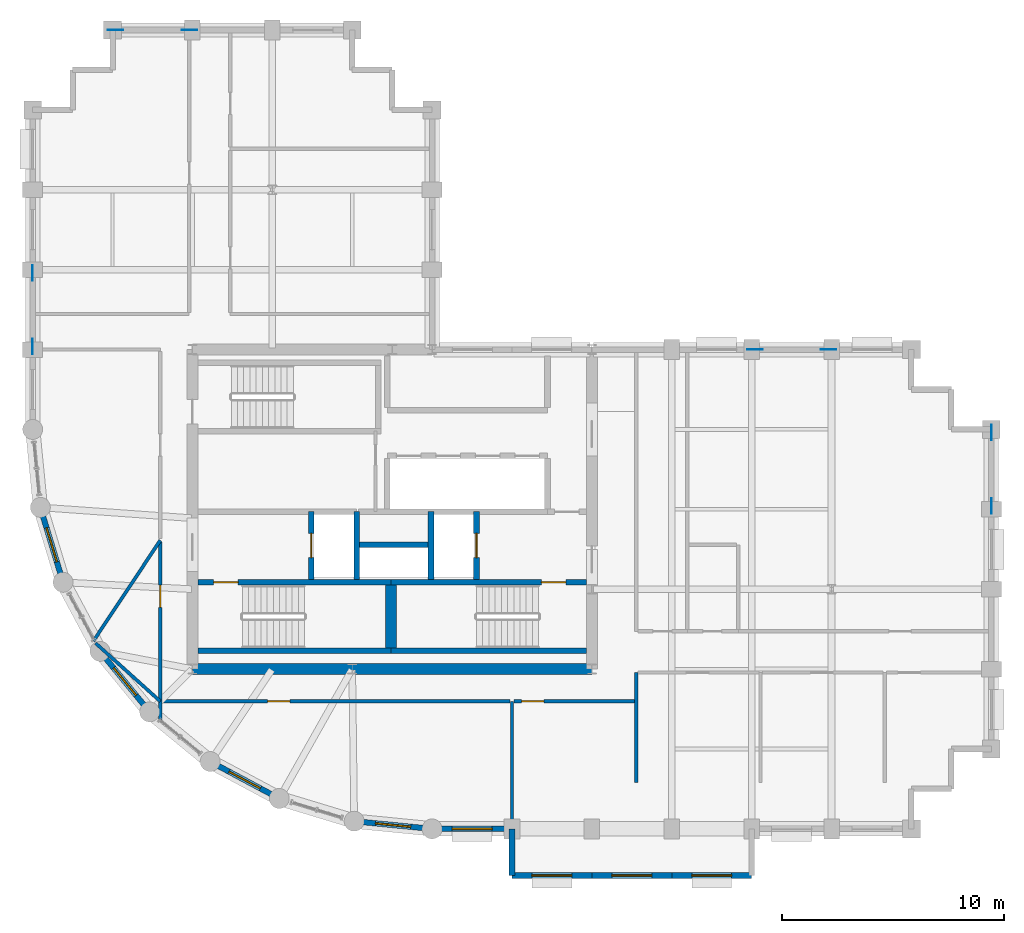
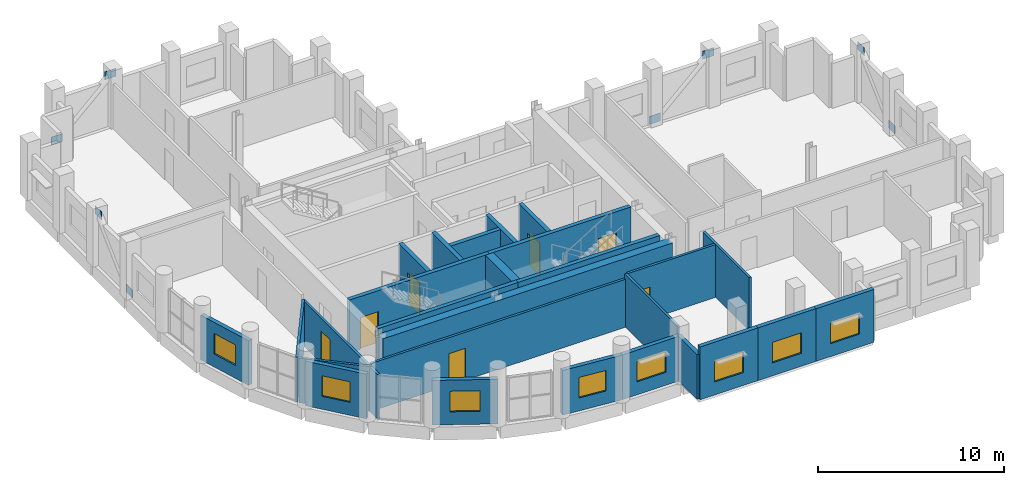
# One storey, part 6 of 11: 27 walls, 8 plates, 8 windows, 7 doors, 15 openings.
"""IFC4 building model written with IfcOpenShell, lengths in metres."""

from ifc_helpers import new_model, si_unit, direction, frame, frame_2d, origin, origin_2d, place, context, subcontext, project, spatial, rectangle, extrude, material, layer, layer_set, type_object, element, fill, save


model = new_model("IFC4")

# Units and contexts
model_context = context("Model", 3, precision=1e-05, world=origin(), true_north=direction((0.0, 1.0)))
body_context = subcontext(model_context, "Body", "Model", "MODEL_VIEW")
ifc_project = project(units=[si_unit("LENGTHUNIT", "METRE"), si_unit("AREAUNIT", "SQUARE_METRE"), si_unit("VOLUMEUNIT", "CUBIC_METRE"), si_unit("PLANEANGLEUNIT", "RADIAN"), si_unit("MASSUNIT", "GRAM", prefix="KILO")], contexts=[model_context])

# Site, building, storey
site_placement = place(None, origin())
site = spatial("IfcSite", under=ifc_project, at=site_placement, CompositionType="ELEMENT")
building_placement = place(site_placement, origin())
building = spatial("IfcBuilding", under=site, at=building_placement, Name="Solnavia Interchange Tower", CompositionType="ELEMENT")
storey_placement = place(building_placement, frame((0.0, 0.0, 205.199951171875)))
storey = spatial("IfcBuildingStorey", under=building, at=storey_placement, Name="L51", CompositionType="ELEMENT", Elevation=205.199951171875)

# Plates
ifc_material_1 = material(Name="Steel S460", Category="steel")
ifc_layer_1 = layer(ifc_material_1, 0.030029296875)
ifc_layer_set_1 = layer_set([ifc_layer_1], Name="Steel S460")
plate_type = type_object("IfcPlateType", Name="Plate-Gusset-700x520x30", PredefinedType="USERDEFINED", material=ifc_layer_set_1)
for number, where, z_axis, x_axis, name in (
    (1, (7.199951171875, 25.340087890625, -0.080078125), (0.0, 0.0, 1.0), (0.0, 1.0, 0.0), "PLT-L51-GP01 Perimeter brace gusset plate"),
    (2, (7.199951171875, 28.659912109375, 3.0400390625), (0.0, 0.0, 1.0), (0.0, 1.0, 0.0), "PLT-L51-GP02 Perimeter brace gusset plate"),
    (3, (50.39990234375, 18.139892578125, -0.080078125), (0.0, 0.0, 1.0), (0.0, 1.0, 0.0), "PLT-L51-GP03 Perimeter brace gusset plate"),
    (4, (50.39990234375, 21.4599609375, 3.0400390625), (0.0, 0.0, 1.0), (0.0, 1.0, 0.0), "PLT-L51-GP04 Perimeter brace gusset plate"),
    (5, (10.93994140625, 39.60009765625, -0.080078125), (0.0, 0.0, 1.0), (1.0, 0.0, 0.0), "PLT-L51-GP05 Perimeter brace gusset plate"),
    (6, (14.260009765625, 39.60009765625, 3.0400390625), (0.0, 0.0, 1.0), (1.0, 0.0, 0.0), "PLT-L51-GP06 Perimeter brace gusset plate"),
    (7, (39.739990234375, 25.199951171875, -0.080078125), (0.0, 0.0, 1.0), (1.0, 0.0, 0.0), "PLT-L51-GP07 Perimeter brace gusset plate"),
    (8, (43.06005859375, 25.199951171875, 3.0400390625), (0.0, 0.0, 1.0), (1.0, 0.0, 0.0), "PLT-L51-GP08 Perimeter brace gusset plate"),
):
    element("IfcPlate", number, at=place(storey_placement, frame(where, z_axis=z_axis, x_axis=x_axis)), inside=storey, type_object=plate_type, Name=name, ObjectType="GUSSET PLATE", PredefinedType="USERDEFINED", context=body_context, shape_type="SweptSolid", body=[
        extrude(rectangle(XDim=0.699951171875, YDim=0.030029296875, at=origin_2d()), origin(), (0.0, 0.0, 1.0), 0.52001953125),
    ])

# Wall, opening, window
ifc_material_2 = material(Name="Concrete C40/50", Category="concrete")
ifc_layer_2 = layer(ifc_material_2, 0.25)
ifc_layer_set_2 = layer_set([ifc_layer_2], Name="Concrete C40/50")
wall_type_1 = type_object("IfcWallType", Name="Wall-ExtSpandrel-250", PredefinedType="STANDARD", material=ifc_layer_set_2)
wall_1_placement = place(storey_placement, frame((28.800048828125, 3.60009765625, 0.0), z_axis=(0.0, 0.0, 1.0), x_axis=(-1.0, 0.0, 0.0)))
wall_1 = element("IfcWall", 9, at=wall_1_placement, inside=storey, type_object=wall_type_1, Name="EXW-L51-01 Exterior precast spandrel wall", PredefinedType="STANDARD", context=body_context, shape_type="SweptSolid", body=[
    extrude(rectangle(XDim=3.60009765625, YDim=0.25, at=frame_2d((1.800048828125, 0.0))), origin(), (0.0, 0.0, 1.0), 2.929931640625),
])
opening_1_placement = place(wall_1_placement, frame((0.89990234375, 0.0, 0.85009765625)))
opening_1 = element("IfcOpeningElement", 10, at=opening_1_placement, cuts=wall_1, Name="Opening WIN-02", PredefinedType="OPENING", context=body_context, shape_type="SweptSolid", body=[
    extrude(rectangle(XDim=1.800048828125, YDim=1.35009765625, at=frame_2d((0.89990234375, 0.675048828125))), frame((0.0, 0.135009765625, 0.0), z_axis=(0.0, -1.0, 0.0), x_axis=(1.0, 0.0, 0.0)), (0.0, 0.0, 1.0), 0.27001953125),
])
ifc_material_3 = material(Name="Thermal-Break Aluminium & Low-E Glass", Category="aluminium")
window_type_1 = type_object("IfcWindowType", Name="Window-Ribbon-1800x1350", PartitioningType="SINGLE_PANEL", PredefinedType="WINDOW", material=ifc_material_3)
window_1_placement = place(opening_1_placement, origin())
window_1 = element("IfcWindow", 11, at=window_1_placement, inside=storey, type_object=window_type_1, Name="WIN-L51-01 Facade ribbon window", OverallHeight=1.35009765625, OverallWidth=1.800048828125, PartitioningType="SINGLE_PANEL", PredefinedType="WINDOW", context=body_context, shape_type="SweptSolid", body=[
    extrude(rectangle(XDim=1.800048828125, YDim=1.35009765625, at=frame_2d((0.89990234375, 0.675048828125))), frame((0.0, 0.030029296875, 0.0), z_axis=(0.0, -1.0, 0.0), x_axis=(1.0, 0.0, 0.0)), (0.0, 0.0, 1.0), 0.06005859375),
])
fill(opening_1, window_1)

# Wall
wall_2_placement = place(storey_placement, frame((28.800048828125, 3.60009765625, 0.0), z_axis=(0.0, 0.0, 1.0), x_axis=(0.0, -1.0, 0.0)))
element("IfcWall", 12, at=wall_2_placement, inside=storey, type_object=wall_type_1, Name="EXW-L51-02 Exterior precast spandrel wall", PredefinedType="STANDARD", context=body_context, shape_type="SweptSolid", body=[
    extrude(rectangle(XDim=2.10009765625, YDim=0.25, at=frame_2d((1.050048828125, 0.0))), origin(), (0.0, 0.0, 1.0), 2.929931640625),
])

# Wall, opening, window
wall_3_placement = place(storey_placement, frame((32.39990234375, 1.5, 0.0), z_axis=(0.0, 0.0, 1.0), x_axis=(-1.0, 0.0, 0.0)))
wall_3 = element("IfcWall", 13, at=wall_3_placement, inside=storey, type_object=wall_type_1, Name="EXW-L51-03 Exterior precast spandrel wall", PredefinedType="STANDARD", context=body_context, shape_type="SweptSolid", body=[
    extrude(rectangle(XDim=3.599853515625, YDim=0.25, at=frame_2d((1.7998046875, 0.0))), origin(), (0.0, 0.0, 1.0), 3.465087890625),
])
opening_2_placement = place(wall_3_placement, frame((0.89990234375, 0.0, 0.85009765625)))
opening_2 = element("IfcOpeningElement", 14, at=opening_2_placement, cuts=wall_3, Name="Opening WIN-02", PredefinedType="OPENING", context=body_context, shape_type="SweptSolid", body=[
    extrude(rectangle(XDim=1.800048828125, YDim=1.35009765625, at=frame_2d((0.89990234375, 0.675048828125))), frame((0.0, 0.135009765625, 0.0), z_axis=(0.0, -1.0, 0.0), x_axis=(1.0, 0.0, 0.0)), (0.0, 0.0, 1.0), 0.27001953125),
])
window_2_placement = place(opening_2_placement, origin())
window_2 = element("IfcWindow", 15, at=window_2_placement, inside=storey, type_object=window_type_1, Name="WIN-L51-03 Facade ribbon window", OverallHeight=1.35009765625, OverallWidth=1.800048828125, PartitioningType="SINGLE_PANEL", PredefinedType="WINDOW", context=body_context, shape_type="SweptSolid", body=[
    extrude(rectangle(XDim=1.800048828125, YDim=1.35009765625, at=frame_2d((0.89990234375, 0.675048828125))), frame((0.0, 0.030029296875, 0.0), z_axis=(0.0, -1.0, 0.0), x_axis=(1.0, 0.0, 0.0)), (0.0, 0.0, 1.0), 0.06005859375),
])
fill(opening_2, window_2)

wall_4_placement = place(storey_placement, frame((36.0, 1.5, 0.0), z_axis=(0.0, 0.0, 1.0), x_axis=(-1.0, 0.0, 0.0)))
wall_4 = element("IfcWall", 16, at=wall_4_placement, inside=storey, type_object=wall_type_1, Name="EXW-L51-04 Exterior precast spandrel wall", PredefinedType="STANDARD", context=body_context, shape_type="SweptSolid", body=[
    extrude(rectangle(XDim=3.60009765625, YDim=0.25, at=frame_2d((1.800048828125, 0.0))), origin(), (0.0, 0.0, 1.0), 3.465087890625),
])
opening_3_placement = place(wall_4_placement, frame((0.89990234375, 0.0, 0.85009765625)))
opening_3 = element("IfcOpeningElement", 17, at=opening_3_placement, cuts=wall_4, Name="Opening WIN-02", PredefinedType="OPENING", context=body_context, shape_type="SweptSolid", body=[
    extrude(rectangle(XDim=1.800048828125, YDim=1.35009765625, at=frame_2d((0.89990234375, 0.675048828125))), frame((0.0, 0.135009765625, 0.0), z_axis=(0.0, -1.0, 0.0), x_axis=(1.0, 0.0, 0.0)), (0.0, 0.0, 1.0), 0.27001953125),
])
window_3_placement = place(opening_3_placement, origin())
window_3 = element("IfcWindow", 18, at=window_3_placement, inside=storey, type_object=window_type_1, Name="WIN-L51-04 Facade ribbon window", OverallHeight=1.35009765625, OverallWidth=1.800048828125, PartitioningType="SINGLE_PANEL", PredefinedType="WINDOW", context=body_context, shape_type="SweptSolid", body=[
    extrude(rectangle(XDim=1.800048828125, YDim=1.35009765625, at=frame_2d((0.89990234375, 0.675048828125))), frame((0.0, 0.030029296875, 0.0), z_axis=(0.0, -1.0, 0.0), x_axis=(1.0, 0.0, 0.0)), (0.0, 0.0, 1.0), 0.06005859375),
])
fill(opening_3, window_3)

wall_5_placement = place(storey_placement, frame((39.60009765625, 1.5, 0.0), z_axis=(0.0, 0.0, 1.0), x_axis=(-1.0, 0.0, 0.0)))
wall_5 = element("IfcWall", 19, at=wall_5_placement, inside=storey, type_object=wall_type_1, Name="EXW-L51-05 Exterior precast spandrel wall", PredefinedType="STANDARD", context=body_context, shape_type="SweptSolid", body=[
    extrude(rectangle(XDim=3.60009765625, YDim=0.25, at=frame_2d((1.800048828125, 0.0))), origin(), (0.0, 0.0, 1.0), 3.465087890625),
])
opening_4_placement = place(wall_5_placement, frame((0.89990234375, 0.0, 0.85009765625)))
opening_4 = element("IfcOpeningElement", 20, at=opening_4_placement, cuts=wall_5, Name="Opening WIN-02", PredefinedType="OPENING", context=body_context, shape_type="SweptSolid", body=[
    extrude(rectangle(XDim=1.800048828125, YDim=1.35009765625, at=frame_2d((0.89990234375, 0.675048828125))), frame((0.0, 0.135009765625, 0.0), z_axis=(0.0, -1.0, 0.0), x_axis=(1.0, 0.0, 0.0)), (0.0, 0.0, 1.0), 0.27001953125),
])
window_4_placement = place(opening_4_placement, origin())
window_4 = element("IfcWindow", 21, at=window_4_placement, inside=storey, type_object=window_type_1, Name="WIN-L51-05 Facade ribbon window", OverallHeight=1.35009765625, OverallWidth=1.800048828125, PartitioningType="SINGLE_PANEL", PredefinedType="WINDOW", context=body_context, shape_type="SweptSolid", body=[
    extrude(rectangle(XDim=1.800048828125, YDim=1.35009765625, at=frame_2d((0.89990234375, 0.675048828125))), frame((0.0, 0.030029296875, 0.0), z_axis=(0.0, -1.0, 0.0), x_axis=(1.0, 0.0, 0.0)), (0.0, 0.0, 1.0), 0.06005859375),
])
fill(opening_4, window_4)

wall_6_placement = place(storey_placement, frame((8.570068359375, 14.7119140625, 0.0), z_axis=(0.0, 0.0, 1.0), x_axis=(-0.290305086481, 0.956934144423, 0.0)))
wall_6 = element("IfcWall", 22, at=wall_6_placement, inside=storey, type_object=wall_type_1, Name="EXW-L51-46 Exterior precast spandrel wall", PredefinedType="STANDARD", context=body_context, shape_type="SweptSolid", body=[
    extrude(rectangle(XDim=3.52783203125, YDim=0.25, at=frame_2d((1.763916015625, 0.0))), origin(), (0.0, 0.0, 1.0), 2.929931640625),
])
opening_5_placement = place(wall_6_placement, frame((0.964111328125, 0.0, 0.85009765625)))
opening_5 = element("IfcOpeningElement", 23, at=opening_5_placement, cuts=wall_6, Name="Opening WIN-04", PredefinedType="OPENING", context=body_context, shape_type="SweptSolid", body=[
    extrude(rectangle(XDim=1.60009765625, YDim=1.35009765625, at=frame_2d((0.800048828125, 0.675048828125))), frame((0.0, 0.135009765625, 0.0), z_axis=(0.0, -1.0, 0.0), x_axis=(1.0, 0.0, 0.0)), (0.0, 0.0, 1.0), 0.27001953125),
])
window_type_2 = type_object("IfcWindowType", Name="Window-Drum-1600x1350", PartitioningType="SINGLE_PANEL", PredefinedType="WINDOW", material=ifc_material_3)
window_5_placement = place(opening_5_placement, origin())
window_5 = element("IfcWindow", 24, at=window_5_placement, inside=storey, type_object=window_type_2, Name="WIN-L51-46 Facade ribbon window", OverallHeight=1.35009765625, OverallWidth=1.60009765625, PartitioningType="SINGLE_PANEL", PredefinedType="WINDOW", context=body_context, shape_type="SweptSolid", body=[
    extrude(rectangle(XDim=1.60009765625, YDim=1.35009765625, at=frame_2d((0.800048828125, 0.675048828125))), frame((0.0, 0.030029296875, 0.0), z_axis=(0.0, -1.0, 0.0), x_axis=(1.0, 0.0, 0.0)), (0.0, 0.0, 1.0), 0.06005859375),
])
fill(opening_5, window_5)

wall_7_placement = place(storey_placement, frame((12.471923828125, 8.8720703125, 0.0), z_axis=(0.0, 0.0, 1.0), x_axis=(-0.634258295121, 0.773121216285, 0.0)))
wall_7 = element("IfcWall", 25, at=wall_7_placement, inside=storey, type_object=wall_type_1, Name="EXW-L51-48 Exterior precast spandrel wall", PredefinedType="STANDARD", context=body_context, shape_type="SweptSolid", body=[
    extrude(rectangle(XDim=3.528564453125, YDim=0.25, at=frame_2d((1.76416015625, 0.0))), origin(), (0.0, 0.0, 1.0), 2.929931640625),
])
opening_6_placement = place(wall_7_placement, frame((0.964111328125, 0.0, 0.85009765625)))
opening_6 = element("IfcOpeningElement", 26, at=opening_6_placement, cuts=wall_7, Name="Opening WIN-04", PredefinedType="OPENING", context=body_context, shape_type="SweptSolid", body=[
    extrude(rectangle(XDim=1.60009765625, YDim=1.35009765625, at=frame_2d((0.800048828125, 0.675048828125))), frame((0.0, 0.135009765625, 0.0), z_axis=(0.0, -1.0, 0.0), x_axis=(1.0, 0.0, 0.0)), (0.0, 0.0, 1.0), 0.27001953125),
])
window_6_placement = place(opening_6_placement, origin())
window_6 = element("IfcWindow", 27, at=window_6_placement, inside=storey, type_object=window_type_2, Name="WIN-L51-48 Facade ribbon window", OverallHeight=1.35009765625, OverallWidth=1.60009765625, PartitioningType="SINGLE_PANEL", PredefinedType="WINDOW", context=body_context, shape_type="SweptSolid", body=[
    extrude(rectangle(XDim=1.60009765625, YDim=1.35009765625, at=frame_2d((0.800048828125, 0.675048828125))), frame((0.0, 0.030029296875, 0.0), z_axis=(0.0, -1.0, 0.0), x_axis=(1.0, 0.0, 0.0)), (0.0, 0.0, 1.0), 0.06005859375),
])
fill(opening_6, window_6)

wall_8_placement = place(storey_placement, frame((18.31201171875, 4.969970703125, 0.0), z_axis=(0.0, 0.0, 1.0), x_axis=(-0.881846862014, 0.471535907389, 0.0)))
wall_8 = element("IfcWall", 28, at=wall_8_placement, inside=storey, type_object=wall_type_1, Name="EXW-L51-50 Exterior precast spandrel wall", PredefinedType="STANDARD", context=body_context, shape_type="SweptSolid", body=[
    extrude(rectangle(XDim=3.529052734375, YDim=0.25, at=frame_2d((1.7646484375, 0.0))), origin(), (0.0, 0.0, 1.0), 2.929931640625),
])
opening_7_placement = place(wall_8_placement, frame((0.964111328125, 0.0, 0.85009765625)))
opening_7 = element("IfcOpeningElement", 29, at=opening_7_placement, cuts=wall_8, Name="Opening WIN-04", PredefinedType="OPENING", context=body_context, shape_type="SweptSolid", body=[
    extrude(rectangle(XDim=1.60009765625, YDim=1.35009765625, at=frame_2d((0.800048828125, 0.675048828125))), frame((0.0, 0.135009765625, 0.0), z_axis=(0.0, -1.0, 0.0), x_axis=(1.0, 0.0, 0.0)), (0.0, 0.0, 1.0), 0.27001953125),
])
window_7_placement = place(opening_7_placement, origin())
window_7 = element("IfcWindow", 30, at=window_7_placement, inside=storey, type_object=window_type_2, Name="WIN-L51-50 Facade ribbon window", OverallHeight=1.35009765625, OverallWidth=1.60009765625, PartitioningType="SINGLE_PANEL", PredefinedType="WINDOW", context=body_context, shape_type="SweptSolid", body=[
    extrude(rectangle(XDim=1.60009765625, YDim=1.35009765625, at=frame_2d((0.800048828125, 0.675048828125))), frame((0.0, 0.030029296875, 0.0), z_axis=(0.0, -1.0, 0.0), x_axis=(1.0, 0.0, 0.0)), (0.0, 0.0, 1.0), 0.06005859375),
])
fill(opening_7, window_7)

wall_9_placement = place(storey_placement, frame((25.199951171875, 3.60009765625, 0.0), z_axis=(0.0, 0.0, 1.0), x_axis=(-0.995183369056, 0.098030923459, 0.0)))
wall_9 = element("IfcWall", 31, at=wall_9_placement, inside=storey, type_object=wall_type_1, Name="EXW-L51-52 Exterior precast spandrel wall", PredefinedType="STANDARD", context=body_context, shape_type="SweptSolid", body=[
    extrude(rectangle(XDim=3.529052734375, YDim=0.25, at=frame_2d((1.7646484375, 0.0))), origin(), (0.0, 0.0, 1.0), 2.929931640625),
])
opening_8_placement = place(wall_9_placement, frame((0.965087890625, 0.0, 0.85009765625)))
opening_8 = element("IfcOpeningElement", 32, at=opening_8_placement, cuts=wall_9, Name="Opening WIN-04", PredefinedType="OPENING", context=body_context, shape_type="SweptSolid", body=[
    extrude(rectangle(XDim=1.60009765625, YDim=1.35009765625, at=frame_2d((0.800048828125, 0.675048828125))), frame((0.0, 0.135009765625, 0.0), z_axis=(0.0, -1.0, 0.0), x_axis=(1.0, 0.0, 0.0)), (0.0, 0.0, 1.0), 0.27001953125),
])
window_8_placement = place(opening_8_placement, origin())
window_8 = element("IfcWindow", 33, at=window_8_placement, inside=storey, type_object=window_type_2, Name="WIN-L51-52 Facade ribbon window", OverallHeight=1.35009765625, OverallWidth=1.60009765625, PartitioningType="SINGLE_PANEL", PredefinedType="WINDOW", context=body_context, shape_type="SweptSolid", body=[
    extrude(rectangle(XDim=1.60009765625, YDim=1.35009765625, at=frame_2d((0.800048828125, 0.675048828125))), frame((0.0, 0.030029296875, 0.0), z_axis=(0.0, -1.0, 0.0), x_axis=(1.0, 0.0, 0.0)), (0.0, 0.0, 1.0), 0.06005859375),
])
fill(opening_8, window_8)

# Walls
ifc_material_4 = material(Name="Gypsum Plasterboard & Steel Stud", Category="steel")
ifc_layer_3 = layer(ifc_material_4, 0.14990234375)
ifc_layer_set_3 = layer_set([ifc_layer_3], Name="Gypsum Plasterboard & Steel Stud")
wall_type_2 = type_object("IfcWallType", Name="Wall-Partition-150", PredefinedType="PARTITIONING", material=ifc_layer_set_3)
wall_10_placement = place(storey_placement, frame((28.800048828125, 9.35009765625, 0.0), z_axis=(0.0, 0.0, 1.0), x_axis=(0.0, -1.0, 0.0)))
element("IfcWall", 34, at=wall_10_placement, inside=storey, type_object=wall_type_2, Name="PTW-L51-08 Interior partition wall", PredefinedType="PARTITIONING", context=body_context, shape_type="SweptSolid", body=[
    extrude(rectangle(XDim=5.62109375, YDim=0.14990234375, at=frame_2d((2.810546875, 0.0))), origin(), (0.0, 0.0, 1.0), 3.465087890625),
])
wall_11_placement = place(storey_placement, frame((12.949951171875, 9.35009765625, 0.0), z_axis=(0.0, 0.0, 1.0), x_axis=(-0.743647207073, 0.668572233504, 0.0)))
element("IfcWall", 35, at=wall_11_placement, inside=storey, type_object=wall_type_2, Name="PTW-L51-09 Interior partition wall", PredefinedType="PARTITIONING", context=body_context, shape_type="SweptSolid", body=[
    extrude(rectangle(XDim=3.918701171875, YDim=0.14990234375, at=frame_2d((1.95947265625, 0.0))), origin(), (0.0, 0.0, 1.0), 2.929931640625),
])
wall_12_placement = place(storey_placement, frame((12.949951171875, 16.60009765625, 0.0), z_axis=(0.0, 0.0, 1.0), x_axis=(-0.553282901055, -0.832993416181, 0.0)))
element("IfcWall", 36, at=wall_12_placement, inside=storey, type_object=wall_type_2, Name="PTW-L51-10 Interior partition wall", PredefinedType="PARTITIONING", context=body_context, shape_type="SweptSolid", body=[
    extrude(rectangle(XDim=5.44921875, YDim=0.14990234375, at=frame_2d((2.724609375, 0.0))), origin(), (0.0, 0.0, 1.0), 2.929931640625),
])

# Wall, opening, door
wall_13_placement = place(storey_placement, frame((12.949951171875, 8.47998046875, 0.0), z_axis=(0.0, 0.0, 1.0), x_axis=(0.0, 1.0, 0.0)))
wall_13 = element("IfcWall", 37, at=wall_13_placement, inside=storey, type_object=wall_type_2, Name="PTW-L51-12 Interior partition wall", PredefinedType="PARTITIONING", context=body_context, shape_type="SweptSolid", body=[
    extrude(rectangle(XDim=8.041015625, YDim=0.14990234375, at=frame_2d((4.0205078125, 0.0))), origin(), (0.0, 0.0, 1.0), 2.929931640625),
])
opening_9_placement = place(wall_13_placement, frame((5.10107421875, 0.0, 0.0)))
opening_9 = element("IfcOpeningElement", 38, at=opening_9_placement, cuts=wall_13, Name="Opening DR-07", PredefinedType="OPENING", context=body_context, shape_type="SweptSolid", body=[
    extrude(rectangle(XDim=1.0, YDim=2.10009765625, at=frame_2d((0.5, 1.050048828125))), frame((0.0, 0.0849609375, 0.0), z_axis=(0.0, -1.0, 0.0), x_axis=(1.0, 0.0, 0.0)), (0.0, 0.0, 1.0), 0.169921875),
])
ifc_material_5 = material(Name="Timber & Acoustic Glazed Office Door", Category="wood")
door_type_1 = type_object("IfcDoorType", Name="Door-Office-1000x2100", OperationType="SINGLE_SWING_RIGHT", PredefinedType="DOOR", material=ifc_material_5)
door_1_placement = place(opening_9_placement, origin())
door_1 = element("IfcDoor", 39, at=door_1_placement, inside=storey, type_object=door_type_1, Name="DR-L51-04 Interior room door", OperationType="SINGLE_SWING_RIGHT", OverallHeight=2.10009765625, OverallWidth=1.0, PredefinedType="DOOR", context=body_context, shape_type="SweptSolid", body=[
    extrude(rectangle(XDim=1.0, YDim=2.10009765625, at=frame_2d((0.5, 1.050048828125))), frame((0.0, 0.02490234375, 0.0), z_axis=(0.0, -1.0, 0.0), x_axis=(1.0, 0.0, 0.0)), (0.0, 0.0, 1.0), 0.050048828125),
])
fill(opening_9, door_1)

wall_14_placement = place(storey_placement, frame((12.949951171875, 9.35009765625, 0.0), z_axis=(0.0, 0.0, 1.0), x_axis=(1.0, 0.0, 0.0)))
wall_14 = element("IfcWall", 40, at=wall_14_placement, inside=storey, type_object=wall_type_2, Name="PTW-L51-13 Interior partition wall", PredefinedType="PARTITIONING", context=body_context, shape_type="SweptSolid", body=[
    extrude(rectangle(XDim=15.77099609375, YDim=0.14990234375, at=frame_2d((7.885498046875, 0.0))), origin(), (0.0, 0.0, 1.0), 3.150146484375),
])
opening_10_placement = place(wall_14_placement, frame((4.8359375, 0.0, 0.0)))
opening_10 = element("IfcOpeningElement", 41, at=opening_10_placement, cuts=wall_14, Name="Opening DR-07", PredefinedType="OPENING", context=body_context, shape_type="SweptSolid", body=[
    extrude(rectangle(XDim=1.0, YDim=2.10009765625, at=frame_2d((0.5, 1.050048828125))), frame((0.0, 0.0849609375, 0.0), z_axis=(0.0, -1.0, 0.0), x_axis=(1.0, 0.0, 0.0)), (0.0, 0.0, 1.0), 0.169921875),
])
door_2_placement = place(opening_10_placement, origin())
door_2 = element("IfcDoor", 42, at=door_2_placement, inside=storey, type_object=door_type_1, Name="DR-L51-05 Interior room door", OperationType="SINGLE_SWING_LEFT", OverallHeight=2.10009765625, OverallWidth=1.0, PredefinedType="DOOR", context=body_context, shape_type="SweptSolid", body=[
    extrude(rectangle(XDim=1.0, YDim=2.10009765625, at=frame_2d((0.5, 1.050048828125))), frame((0.0, 0.02490234375, 0.0), z_axis=(0.0, -1.0, 0.0), x_axis=(1.0, 0.0, 0.0)), (0.0, 0.0, 1.0), 0.050048828125),
])
fill(opening_10, door_2)

wall_15_placement = place(storey_placement, frame((28.87890625, 9.35009765625, 0.0), z_axis=(0.0, 0.0, 1.0), x_axis=(1.0, 0.0, 0.0)))
wall_15 = element("IfcWall", 43, at=wall_15_placement, inside=storey, type_object=wall_type_2, Name="PTW-L51-14 Interior partition wall", PredefinedType="PARTITIONING", context=body_context, shape_type="SweptSolid", body=[
    extrude(rectangle(XDim=5.52099609375, YDim=0.14990234375, at=frame_2d((2.760498046875, 0.0))), origin(), (0.0, 0.0, 1.0), 3.465087890625),
])
opening_11_placement = place(wall_15_placement, frame((0.360107421875, 0.0, 0.0)))
opening_11 = element("IfcOpeningElement", 44, at=opening_11_placement, cuts=wall_15, Name="Opening DR-07", PredefinedType="OPENING", context=body_context, shape_type="SweptSolid", body=[
    extrude(rectangle(XDim=1.0, YDim=2.10009765625, at=frame_2d((0.5, 1.050048828125))), frame((0.0, 0.0849609375, 0.0), z_axis=(0.0, -1.0, 0.0), x_axis=(1.0, 0.0, 0.0)), (0.0, 0.0, 1.0), 0.169921875),
])
door_3_placement = place(opening_11_placement, origin())
door_3 = element("IfcDoor", 45, at=door_3_placement, inside=storey, type_object=door_type_1, Name="DR-L51-06 Interior room door", OperationType="SINGLE_SWING_RIGHT", OverallHeight=2.10009765625, OverallWidth=1.0, PredefinedType="DOOR", context=body_context, shape_type="SweptSolid", body=[
    extrude(rectangle(XDim=1.0, YDim=2.10009765625, at=frame_2d((0.5, 1.050048828125))), frame((0.0, 0.02490234375, 0.0), z_axis=(0.0, -1.0, 0.0), x_axis=(1.0, 0.0, 0.0)), (0.0, 0.0, 1.0), 0.050048828125),
])
fill(opening_11, door_3)

# Walls
wall_16_placement = place(storey_placement, frame((34.39990234375, 5.699951171875, 0.0), z_axis=(0.0, 0.0, 1.0), x_axis=(0.0, 1.0, 0.0)))
element("IfcWall", 46, at=wall_16_placement, inside=storey, type_object=wall_type_2, Name="PTW-L51-15 Interior partition wall", PredefinedType="PARTITIONING", context=body_context, shape_type="SweptSolid", body=[
    extrude(rectangle(XDim=4.949951171875, YDim=0.14990234375, at=frame_2d((2.47509765625, 0.0))), origin(), (0.0, 0.0, 1.0), 3.465087890625),
])
ifc_layer_4 = layer(ifc_material_2, 0.25)
ifc_layer_set_4 = layer_set([ifc_layer_4], Name="Concrete C40/50")
wall_type_3 = type_object("IfcWallType", Name="Wall-ShaftCore-250", PredefinedType="SHEAR", material=ifc_layer_set_4)
wall_17_placement = place(storey_placement, frame((14.64990234375, 11.625, 0.0), z_axis=(0.0, 0.0, 1.0), x_axis=(1.0, 0.0, 0.0)))
element("IfcWall", 47, at=wall_17_placement, inside=storey, type_object=wall_type_3, Name="SHW-L51-ST1S Core shear wall", PredefinedType="SHEAR", context=body_context, shape_type="SweptSolid", body=[
    extrude(rectangle(XDim=8.7001953125, YDim=0.25, at=frame_2d((4.35009765625, 0.0))), origin(), (0.0, 0.0, 1.0), 3.47998046875),
])

# Wall, opening, door
wall_18_placement = place(storey_placement, frame((14.64990234375, 14.715087890625, 0.0), z_axis=(0.0, 0.0, 1.0), x_axis=(1.0, 0.0, 0.0)))
wall_18 = element("IfcWall", 48, at=wall_18_placement, inside=storey, type_object=wall_type_3, Name="SHW-L51-ST1N Core shear wall", PredefinedType="SHEAR", context=body_context, shape_type="SweptSolid", body=[
    extrude(rectangle(XDim=8.7001953125, YDim=0.25, at=frame_2d((4.35009765625, 0.0))), origin(), (0.0, 0.0, 1.0), 3.47998046875),
])
opening_12_placement = place(wall_18_placement, frame((0.705078125, 0.0, 0.0)))
opening_12 = element("IfcOpeningElement", 49, at=opening_12_placement, cuts=wall_18, Name="Opening DR-01", PredefinedType="OPENING", context=body_context, shape_type="SweptSolid", body=[
    extrude(rectangle(XDim=1.10009765625, YDim=2.10009765625, at=frame_2d((0.550048828125, 1.050048828125))), frame((0.0, 0.135009765625, 0.0), z_axis=(0.0, -1.0, 0.0), x_axis=(1.0, 0.0, 0.0)), (0.0, 0.0, 1.0), 0.27001953125),
])
ifc_material_6 = material(Name="Steel Fire-Rated Leaf & Frame", Category="steel")
door_type_2 = type_object("IfcDoorType", Name="Door-StairFire-1100x2100", OperationType="SINGLE_SWING_LEFT", PredefinedType="DOOR", material=ifc_material_6)
door_4_placement = place(opening_12_placement, origin())
door_4 = element("IfcDoor", 50, at=door_4_placement, inside=storey, type_object=door_type_2, Name="DR-L51-ST1 Core fire door", OperationType="SINGLE_SWING_LEFT", OverallHeight=2.10009765625, OverallWidth=1.10009765625, PredefinedType="DOOR", context=body_context, shape_type="SweptSolid", body=[
    extrude(rectangle(XDim=1.10009765625, YDim=2.10009765625, at=frame_2d((0.550048828125, 1.050048828125))), frame((0.0, 0.02490234375, 0.0), z_axis=(0.0, -1.0, 0.0), x_axis=(1.0, 0.0, 0.0)), (0.0, 0.0, 1.0), 0.050048828125),
])
fill(opening_12, door_4)

# Wall
wall_19_placement = place(storey_placement, frame((23.35009765625, 11.625, 0.0), z_axis=(0.0, 0.0, 1.0), x_axis=(1.0, 0.0, 0.0)))
element("IfcWall", 51, at=wall_19_placement, inside=storey, type_object=wall_type_3, Name="SHW-L51-ST2S Core shear wall", PredefinedType="SHEAR", context=body_context, shape_type="SweptSolid", body=[
    extrude(rectangle(XDim=8.7998046875, YDim=0.25, at=frame_2d((4.39990234375, 0.0))), origin(), (0.0, 0.0, 1.0), 3.47998046875),
])

# Wall, opening, door
wall_20_placement = place(storey_placement, frame((23.35009765625, 14.715087890625, 0.0), z_axis=(0.0, 0.0, 1.0), x_axis=(1.0, 0.0, 0.0)))
wall_20 = element("IfcWall", 52, at=wall_20_placement, inside=storey, type_object=wall_type_3, Name="SHW-L51-ST2N Core shear wall", PredefinedType="SHEAR", context=body_context, shape_type="SweptSolid", body=[
    extrude(rectangle(XDim=8.7998046875, YDim=0.25, at=frame_2d((4.39990234375, 0.0))), origin(), (0.0, 0.0, 1.0), 3.47998046875),
])
opening_13_placement = place(wall_20_placement, frame((6.77490234375, 0.0, 0.0)))
opening_13 = element("IfcOpeningElement", 53, at=opening_13_placement, cuts=wall_20, Name="Opening DR-01", PredefinedType="OPENING", context=body_context, shape_type="SweptSolid", body=[
    extrude(rectangle(XDim=1.10009765625, YDim=2.10009765625, at=frame_2d((0.550048828125, 1.050048828125))), frame((0.0, 0.135009765625, 0.0), z_axis=(0.0, -1.0, 0.0), x_axis=(1.0, 0.0, 0.0)), (0.0, 0.0, 1.0), 0.27001953125),
])
door_5_placement = place(opening_13_placement, origin())
door_5 = element("IfcDoor", 54, at=door_5_placement, inside=storey, type_object=door_type_2, Name="DR-L51-ST2 Core fire door", OperationType="SINGLE_SWING_LEFT", OverallHeight=2.10009765625, OverallWidth=1.10009765625, PredefinedType="DOOR", context=body_context, shape_type="SweptSolid", body=[
    extrude(rectangle(XDim=1.10009765625, YDim=2.10009765625, at=frame_2d((0.550048828125, 1.050048828125))), frame((0.0, 0.02490234375, 0.0), z_axis=(0.0, -1.0, 0.0), x_axis=(1.0, 0.0, 0.0)), (0.0, 0.0, 1.0), 0.050048828125),
])
fill(opening_13, door_5)

ifc_layer_5 = layer(ifc_material_2, 0.25)
ifc_layer_set_5 = layer_set([ifc_layer_5], Name="Concrete C40/50")
wall_type_4 = type_object("IfcWallType", Name="Wall-ShaftPart-250", PredefinedType="PARTITIONING", material=ifc_layer_set_5)
wall_21_placement = place(storey_placement, frame((19.75, 14.840087890625, 0.0), z_axis=(0.0, 0.0, 1.0), x_axis=(0.0, 1.0, 0.0)))
wall_21 = element("IfcWall", 55, at=wall_21_placement, inside=storey, type_object=wall_type_4, Name="SHW-L51-FFL1-W Core shaft wall", PredefinedType="PARTITIONING", context=body_context, shape_type="SweptSolid", body=[
    extrude(rectangle(XDim=3.059814453125, YDim=0.25, at=frame_2d((1.52978515625, 0.0))), origin(), (0.0, 0.0, 1.0), 3.465087890625),
])
opening_14_placement = place(wall_21_placement, frame((0.97998046875, 0.0, 0.0)))
opening_14 = element("IfcOpeningElement", 56, at=opening_14_placement, cuts=wall_21, Name="Opening LD-01", PredefinedType="OPENING", context=body_context, shape_type="SweptSolid", body=[
    extrude(rectangle(XDim=1.10009765625, YDim=2.10009765625, at=frame_2d((0.550048828125, 1.050048828125))), frame((0.0, 0.135009765625, 0.0), z_axis=(0.0, -1.0, 0.0), x_axis=(1.0, 0.0, 0.0)), (0.0, 0.0, 1.0), 0.27001953125),
])
ifc_material_7 = material(Name="Brushed Stainless Steel Sliding Door", Category="steel")
door_type_3 = type_object("IfcDoorType", Name="Door-LiftLanding-1100x2100", OperationType="SLIDING_TO_LEFT", PredefinedType="DOOR", material=ifc_material_7)
door_6_placement = place(opening_14_placement, origin())
door_6 = element("IfcDoor", 57, at=door_6_placement, inside=storey, type_object=door_type_3, Name="LD-L51-FFL1 Lift landing sliding door", OperationType="SLIDING_TO_LEFT", OverallHeight=2.10009765625, OverallWidth=1.10009765625, PredefinedType="DOOR", context=body_context, shape_type="SweptSolid", body=[
    extrude(rectangle(XDim=1.10009765625, YDim=2.10009765625, at=frame_2d((0.550048828125, 1.050048828125))), frame((0.0, 0.02490234375, 0.0), z_axis=(0.0, -1.0, 0.0), x_axis=(1.0, 0.0, 0.0)), (0.0, 0.0, 1.0), 0.050048828125),
])
fill(opening_14, door_6)

# Walls
for number, where, z_axis, x_axis, name in (
    (58, (21.800048828125, 14.840087890625, 0.0), (0.0, 0.0, 1.0), (0.0, 1.0, 0.0), "SHW-L51-FFL1-E Core shaft wall"),
    (59, (25.14990234375, 14.840087890625, 0.0), (0.0, 0.0, 1.0), (0.0, 1.0, 0.0), "SHW-L51-FFL2-W Core shaft wall"),
):
    element("IfcWall", number, at=place(storey_placement, frame(where, z_axis=z_axis, x_axis=x_axis)), inside=storey, type_object=wall_type_4, Name=name, PredefinedType="PARTITIONING", context=body_context, shape_type="SweptSolid", body=[
        extrude(rectangle(XDim=3.059814453125, YDim=0.25, at=frame_2d((1.52978515625, 0.0))), origin(), (0.0, 0.0, 1.0), 3.465087890625),
    ])

# Wall, opening, door
wall_22_placement = place(storey_placement, frame((27.199951171875, 14.840087890625, 0.0), z_axis=(0.0, 0.0, 1.0), x_axis=(0.0, 1.0, 0.0)))
wall_22 = element("IfcWall", 60, at=wall_22_placement, inside=storey, type_object=wall_type_4, Name="SHW-L51-FFL2-E Core shaft wall", PredefinedType="PARTITIONING", context=body_context, shape_type="SweptSolid", body=[
    extrude(rectangle(XDim=3.059814453125, YDim=0.25, at=frame_2d((1.52978515625, 0.0))), origin(), (0.0, 0.0, 1.0), 3.465087890625),
])
opening_15_placement = place(wall_22_placement, frame((0.97998046875, 0.0, 0.0)))
opening_15 = element("IfcOpeningElement", 61, at=opening_15_placement, cuts=wall_22, Name="Opening LD-01", PredefinedType="OPENING", context=body_context, shape_type="SweptSolid", body=[
    extrude(rectangle(XDim=1.10009765625, YDim=2.10009765625, at=frame_2d((0.550048828125, 1.050048828125))), frame((0.0, 0.135009765625, 0.0), z_axis=(0.0, -1.0, 0.0), x_axis=(1.0, 0.0, 0.0)), (0.0, 0.0, 1.0), 0.27001953125),
])
door_7_placement = place(opening_15_placement, origin())
door_7 = element("IfcDoor", 62, at=door_7_placement, inside=storey, type_object=door_type_3, Name="LD-L51-FFL2 Lift landing sliding door", OperationType="SLIDING_TO_LEFT", OverallHeight=2.10009765625, OverallWidth=1.10009765625, PredefinedType="DOOR", context=body_context, shape_type="SweptSolid", body=[
    extrude(rectangle(XDim=1.10009765625, YDim=2.10009765625, at=frame_2d((0.550048828125, 1.050048828125))), frame((0.0, 0.02490234375, 0.0), z_axis=(0.0, -1.0, 0.0), x_axis=(1.0, 0.0, 0.0)), (0.0, 0.0, 1.0), 0.050048828125),
])
fill(opening_15, door_7)

# Walls
wall_23_placement = place(storey_placement, frame((21.800048828125, 16.39990234375, 0.0), z_axis=(0.0, 0.0, 1.0), x_axis=(1.0, 0.0, 0.0)))
element("IfcWall", 63, at=wall_23_placement, inside=storey, type_object=wall_type_4, Name="SHW-L51-MEP-N Core shaft wall", PredefinedType="PARTITIONING", context=body_context, shape_type="SweptSolid", body=[
    extrude(rectangle(XDim=3.349853515625, YDim=0.25, at=frame_2d((1.6748046875, 0.0))), origin(), (0.0, 0.0, 1.0), 3.465087890625),
])
ifc_material_8 = material(Name="Concrete C60/75", Category="concrete")
ifc_layer_6 = layer(ifc_material_8, 0.5)
ifc_layer_set_6 = layer_set([ifc_layer_6], Name="Concrete C60/75")
wall_type_5 = type_object("IfcWallType", Name="Wall-ShearCore-500", PredefinedType="SHEAR", material=ifc_layer_set_6)
wall_24_placement = place(storey_placement, frame((14.39990234375, 10.800048828125, 0.0), z_axis=(0.0, 0.0, 1.0), x_axis=(1.0, 0.0, 0.0)))
element("IfcWall", 64, at=wall_24_placement, inside=storey, type_object=wall_type_5, Name="CRW-L51-S Core shear wall", PredefinedType="SHEAR", context=body_context, shape_type="SweptSolid", body=[
    extrude(rectangle(XDim=18.0, YDim=0.5, at=frame_2d((9.0, 0.0))), origin(), (0.0, 0.0, 1.0), 3.47998046875),
])
wall_25_placement = place(storey_placement, frame((23.35009765625, 11.75, 0.0), z_axis=(0.0, 0.0, 1.0), x_axis=(0.0, 1.0, 0.0)))
element("IfcWall", 65, at=wall_25_placement, inside=storey, type_object=wall_type_5, Name="SHW-L51-ST12M Core shear wall", PredefinedType="SHEAR", context=body_context, shape_type="SweptSolid", body=[
    extrude(rectangle(XDim=2.840087890625, YDim=0.5, at=frame_2d((1.419921875, 0.0))), origin(), (0.0, 0.0, 1.0), 3.47998046875),
])

save(model, "model.ifc")
